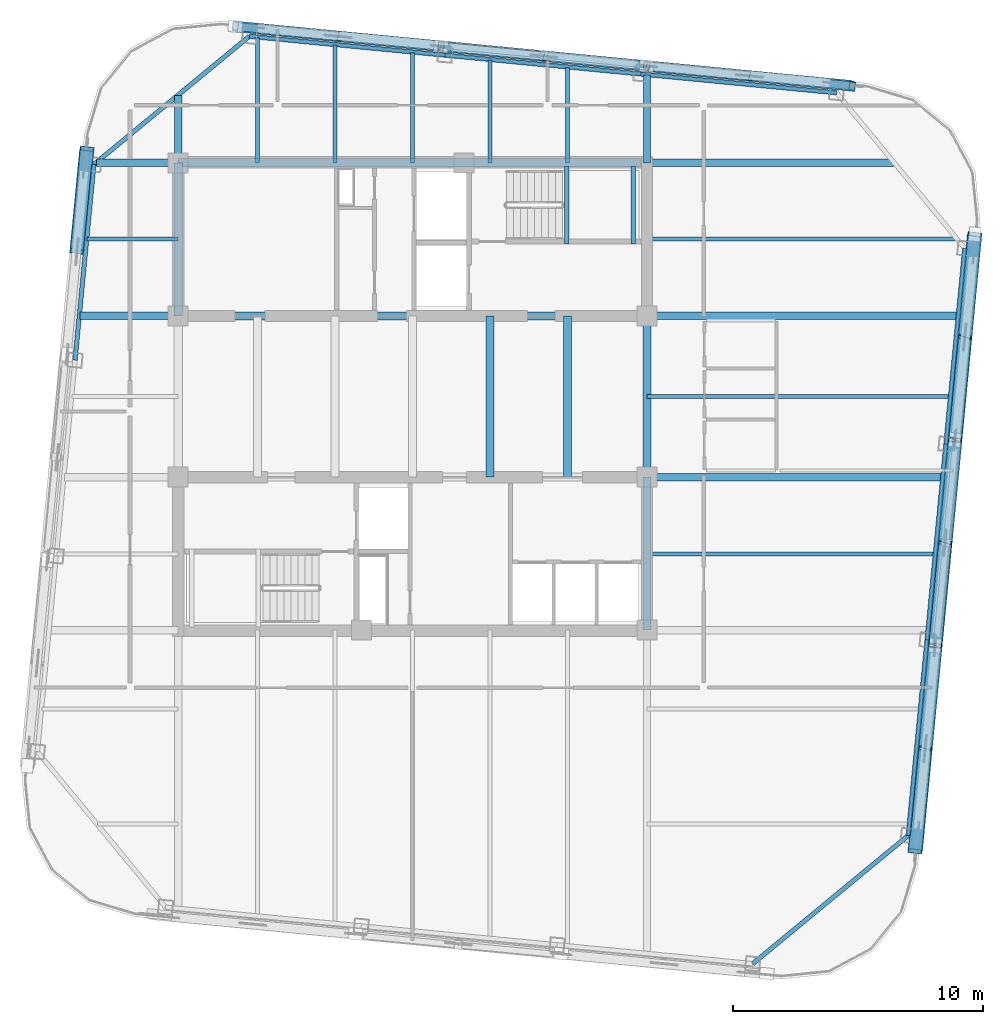
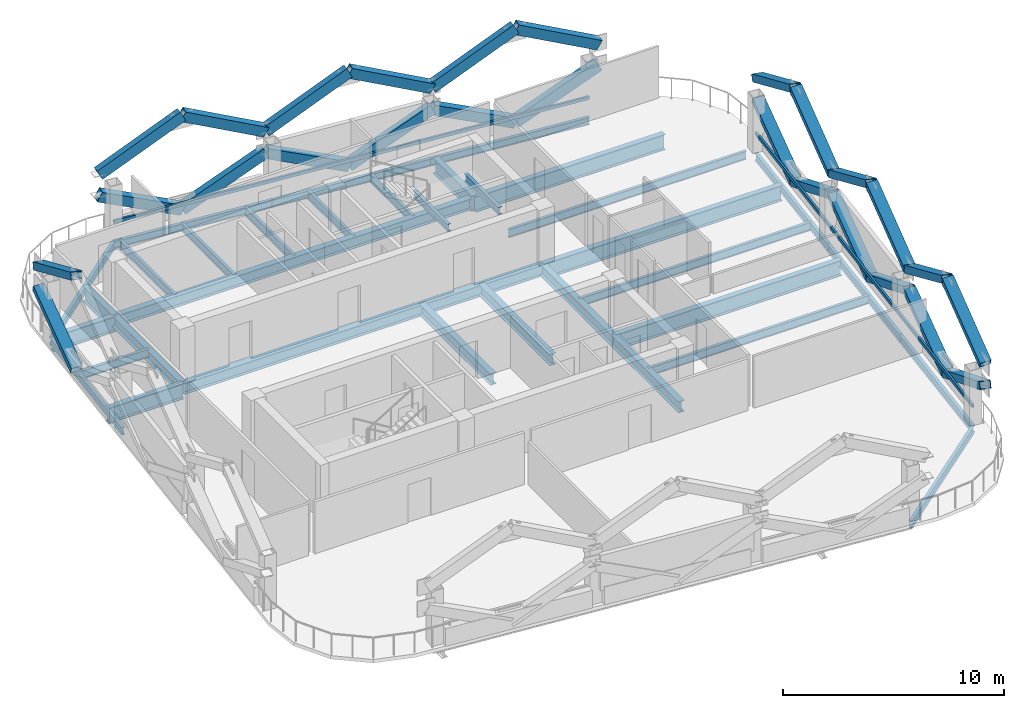
# One storey, part 2 of 10: 34 beams, 28 members.
"""IFC4 building model written with IfcOpenShell, lengths in metres."""

from ifc_helpers import new_model, si_unit, direction, frame, origin, origin_2d, place, context, subcontext, project, spatial, hollow_rectangle, i_section, extrude, material, material_profile, profile_set, type_object, element, save


model = new_model("IFC4")

# Units and contexts
model_context = context("Model", 3, precision=1e-05, world=origin(), true_north=direction((0.0, 1.0)))
body_context = subcontext(model_context, "Body", "Model", "MODEL_VIEW")
ifc_project = project(units=[si_unit("LENGTHUNIT", "METRE"), si_unit("AREAUNIT", "SQUARE_METRE"), si_unit("VOLUMEUNIT", "CUBIC_METRE"), si_unit("PLANEANGLEUNIT", "RADIAN"), si_unit("MASSUNIT", "GRAM", prefix="KILO")], contexts=[model_context])

# Site, building, storey
site_placement = place(None, origin())
site = spatial("IfcSite", under=ifc_project, at=site_placement, CompositionType="ELEMENT")
building_placement = place(site_placement, origin())
building = spatial("IfcBuilding", under=site, at=building_placement, Name="Qhalaya Broadcast Tower", CompositionType="ELEMENT")
storey_placement = place(building_placement, frame((0.0, 0.0, 267.25)))
storey = spatial("IfcBuildingStorey", under=building, at=storey_placement, Name="L79", CompositionType="ELEMENT", Elevation=267.25)

# Beams
ifc_material_1 = material(Name="Structural Steel ASTM A992 Grade 50", Category="steel")
ifc_material_profile_1 = material_profile(ifc_material_1, i_section(OverallWidth=0.154052734375, OverallDepth=0.458984375, WebThickness=0.009033203125, FlangeThickness=0.015380859375, at=origin_2d()), Name="W18X46")
ifc_profile_set_1 = profile_set([ifc_material_profile_1], Name="Structural Steel ASTM A992 Grade 50")
beam_type_1 = type_object("IfcBeamType", Name="Composite Floor Joist J04", PredefinedType="JOIST", material=ifc_profile_set_1)
beam_1_placement = place(storey_placement, frame((-6.199951171875, 9.949951171875, -0.41943359375), z_axis=(0.0, 1.0, 0.0), x_axis=(-1.0, 0.0, 0.0)))
element("IfcBeam", 1, at=beam_1_placement, inside=storey, type_object=beam_type_1, Name="L79 J04 L79-JNN1-1", PredefinedType="JOIST", context=body_context, shape_type="SweptSolid", body=[
    extrude(i_section(OverallWidth=0.154052734375, OverallDepth=0.458984375, WebThickness=0.009033203125, FlangeThickness=0.015380859375, at=origin_2d()), origin(), (0.0, 0.0, 1.0), 5.0087890625),
])
beam_2_placement = place(storey_placement, frame((-3.10009765625, 9.949951171875, -0.41943359375), z_axis=(0.0, 1.0, 0.0), x_axis=(-1.0, 0.0, 0.0)))
element("IfcBeam", 2, at=beam_2_placement, inside=storey, type_object=beam_type_1, Name="L79 J04 L79-JNN2-1", PredefinedType="JOIST", context=body_context, shape_type="SweptSolid", body=[
    extrude(i_section(OverallWidth=0.154052734375, OverallDepth=0.458984375, WebThickness=0.009033203125, FlangeThickness=0.015380859375, at=origin_2d()), origin(), (0.0, 0.0, 1.0), 4.710205078125),
])
beam_3_placement = place(storey_placement, frame((0.0, 9.949951171875, -0.41943359375), z_axis=(0.0, 1.0, 0.0), x_axis=(-1.0, 0.0, 0.0)))
element("IfcBeam", 3, at=beam_3_placement, inside=storey, type_object=beam_type_1, Name="L79 J04 L79-JNN3-1", PredefinedType="JOIST", context=body_context, shape_type="SweptSolid", body=[
    extrude(i_section(OverallWidth=0.154052734375, OverallDepth=0.458984375, WebThickness=0.009033203125, FlangeThickness=0.015380859375, at=origin_2d()), origin(), (0.0, 0.0, 1.0), 4.411865234375),
])
beam_4_placement = place(storey_placement, frame((3.10009765625, 9.949951171875, -0.41943359375), z_axis=(0.0, 1.0, 0.0), x_axis=(-1.0, 0.0, 0.0)))
element("IfcBeam", 4, at=beam_4_placement, inside=storey, type_object=beam_type_1, Name="L79 J04 L79-JNN4-1", PredefinedType="JOIST", context=body_context, shape_type="SweptSolid", body=[
    extrude(i_section(OverallWidth=0.154052734375, OverallDepth=0.458984375, WebThickness=0.009033203125, FlangeThickness=0.015380859375, at=origin_2d()), origin(), (0.0, 0.0, 1.0), 4.11328125),
])
beam_5_placement = place(storey_placement, frame((6.199951171875, 9.949951171875, -0.41943359375), z_axis=(0.0, 1.0, 0.0), x_axis=(-1.0, 0.0, 0.0)))
element("IfcBeam", 5, at=beam_5_placement, inside=storey, type_object=beam_type_1, Name="L79 J04 L79-JNN5-1", PredefinedType="JOIST", context=body_context, shape_type="SweptSolid", body=[
    extrude(i_section(OverallWidth=0.154052734375, OverallDepth=0.458984375, WebThickness=0.009033203125, FlangeThickness=0.015380859375, at=origin_2d()), origin(), (0.0, 0.0, 1.0), 3.814697265625),
])
beam_6_placement = place(storey_placement, frame((9.375, -5.699951171875, -0.41943359375), z_axis=(1.0, 0.0, 0.0), x_axis=(0.0, 1.0, 0.0)))
element("IfcBeam", 6, at=beam_6_placement, inside=storey, type_object=beam_type_1, Name="L79 J04 L79-JWE3E-1", PredefinedType="JOIST", context=body_context, shape_type="SweptSolid", body=[
    extrude(i_section(OverallWidth=0.154052734375, OverallDepth=0.458984375, WebThickness=0.009033203125, FlangeThickness=0.015380859375, at=origin_2d()), origin(), (0.0, 0.0, 1.0), 11.517822265625),
])
beam_7_placement = place(storey_placement, frame((9.375, 0.60009765625, -0.41943359375), z_axis=(1.0, 0.0, 0.0), x_axis=(0.0, 1.0, 0.0)))
element("IfcBeam", 7, at=beam_7_placement, inside=storey, type_object=beam_type_1, Name="L79 J04 L79-JWE4E-1", PredefinedType="JOIST", context=body_context, shape_type="SweptSolid", body=[
    extrude(i_section(OverallWidth=0.154052734375, OverallDepth=0.458984375, WebThickness=0.009033203125, FlangeThickness=0.015380859375, at=origin_2d()), origin(), (0.0, 0.0, 1.0), 12.12451171875),
])
beam_8_placement = place(storey_placement, frame((-13.015625, 6.89990234375, -0.41943359375), z_axis=(1.0, 0.0, 0.0), x_axis=(0.0, 1.0, 0.0)))
element("IfcBeam", 8, at=beam_8_placement, inside=storey, type_object=beam_type_1, Name="L79 J04 L79-JWE5W-1", PredefinedType="JOIST", context=body_context, shape_type="SweptSolid", body=[
    extrude(i_section(OverallWidth=0.154052734375, OverallDepth=0.458984375, WebThickness=0.009033203125, FlangeThickness=0.015380859375, at=origin_2d()), origin(), (0.0, 0.0, 1.0), 3.640625),
])
beam_9_placement = place(storey_placement, frame((9.375, 6.89990234375, -0.41943359375), z_axis=(1.0, 0.0, 0.0), x_axis=(0.0, 1.0, 0.0)))
element("IfcBeam", 9, at=beam_9_placement, inside=storey, type_object=beam_type_1, Name="L79 J04 L79-JWE5E-1", PredefinedType="JOIST", context=body_context, shape_type="SweptSolid", body=[
    extrude(i_section(OverallWidth=0.154052734375, OverallDepth=0.458984375, WebThickness=0.009033203125, FlangeThickness=0.015380859375, at=origin_2d()), origin(), (0.0, 0.0, 1.0), 12.38330078125),
])
ifc_material_profile_2 = material_profile(ifc_material_1, i_section(OverallWidth=0.323974609375, OverallDepth=0.612060546875, WebThickness=0.0126953125, FlangeThickness=0.01904296875, at=origin_2d()), Name="W24X104")
ifc_profile_set_2 = profile_set([ifc_material_profile_2], Name="Structural Steel ASTM A992 Grade 50")
beam_type_2 = type_object("IfcBeamType", Name="Core Frame Tie Beam B04", PredefinedType="BEAM", material=ifc_profile_set_2)
beam_10_placement = place(storey_placement, frame((-9.375, 3.824951171875, -0.49609375), z_axis=(1.0, 0.0, 0.0), x_axis=(0.0, 1.0, 0.0)))
element("IfcBeam", 10, at=beam_10_placement, inside=storey, type_object=beam_type_2, Name="L79 B04 L79-CCN1", PredefinedType="BEAM", context=body_context, shape_type="SweptSolid", body=[
    extrude(i_section(OverallWidth=0.323974609375, OverallDepth=0.612060546875, WebThickness=0.0126953125, FlangeThickness=0.01904296875, at=origin_2d()), origin(), (0.0, 0.0, 1.0), 18.75),
])
beam_11_placement = place(storey_placement, frame((-9.375, 3.824951171875, -0.49609375), z_axis=(0.0, 1.0, 0.0), x_axis=(-1.0, 0.0, 0.0)))
element("IfcBeam", 11, at=beam_11_placement, inside=storey, type_object=beam_type_2, Name="L79 B04 L79-CCN2", PredefinedType="BEAM", context=body_context, shape_type="SweptSolid", body=[
    extrude(i_section(OverallWidth=0.323974609375, OverallDepth=0.612060546875, WebThickness=0.0126953125, FlangeThickness=0.01904296875, at=origin_2d()), origin(), (0.0, 0.0, 1.0), 6.125),
])
beam_12_placement = place(storey_placement, frame((-9.375, 9.949951171875, -0.49609375), z_axis=(1.0, 0.0, 0.0), x_axis=(0.0, 1.0, 0.0)))
element("IfcBeam", 12, at=beam_12_placement, inside=storey, type_object=beam_type_2, Name="L79 B04 L79-CCN3", PredefinedType="BEAM", context=body_context, shape_type="SweptSolid", body=[
    extrude(i_section(OverallWidth=0.323974609375, OverallDepth=0.612060546875, WebThickness=0.0126953125, FlangeThickness=0.01904296875, at=origin_2d()), origin(), (0.0, 0.0, 1.0), 18.4951171875),
])
beam_13_placement = place(storey_placement, frame((9.375, -8.75, -0.49609375), z_axis=(0.0, 1.0, 0.0), x_axis=(-1.0, 0.0, 0.0)))
element("IfcBeam", 13, at=beam_13_placement, inside=storey, type_object=beam_type_2, Name="L79 B04 L79-CCS2", PredefinedType="BEAM", context=body_context, shape_type="SweptSolid", body=[
    extrude(i_section(OverallWidth=0.323974609375, OverallDepth=0.612060546875, WebThickness=0.0126953125, FlangeThickness=0.01904296875, at=origin_2d()), origin(), (0.0, 0.0, 1.0), 6.125),
])
for number, where, z_axis, x_axis, name in (
    (14, (9.375, -2.625, -0.49609375), (0.0, 1.0, 0.0), (-1.0, 0.0, 0.0), "L79 B04 L79-CCE"),
    (15, (3.10009765625, -2.625, -0.49609375), (0.0, 1.0, 0.0), (-1.0, 0.0, 0.0), "L79 B04 L79-JC4-1"),
    (16, (6.199951171875, -2.625, -0.49609375), (0.0, 1.0, 0.0), (-1.0, 0.0, 0.0), "L79 B04 L79-JC5-1"),
):
    element("IfcBeam", number, at=place(storey_placement, frame(where, z_axis=z_axis, x_axis=x_axis)), inside=storey, type_object=beam_type_2, Name=name, PredefinedType="BEAM", context=body_context, shape_type="SweptSolid", body=[
        extrude(i_section(OverallWidth=0.323974609375, OverallDepth=0.612060546875, WebThickness=0.0126953125, FlangeThickness=0.01904296875, at=origin_2d()), origin(), (0.0, 0.0, 1.0), 6.449951171875),
    ])

# Members
ifc_material_2 = material(Name="Structural Steel ASTM A572 Grade 50", Category="steel")
ifc_material_profile_3 = material_profile(ifc_material_2, hollow_rectangle(XDim=0.3798828125, YDim=0.550048828125, WallThickness=0.02490234375, at=origin_2d()), Name="BOX 380x550x25")
ifc_profile_set_3 = profile_set([ifc_material_profile_3], Name="Structural Steel ASTM A572 Grade 50")
member_type_1 = type_object("IfcMemberType", Name="Exoskeleton Diamond Diagonal Upper EX4", PredefinedType="BRACE", material=ifc_profile_set_3)
for number, where, z_axis, x_axis, name in (
    (17, (20.505615234375, -13.478515625, 0.360107421875), (-0.086782392464, -0.901082487863, 0.424875471668), (0.135947686721, 0.411783290594, 0.901084206977), "B6 Exoskeleton Diamond Brace E1-D1"),
    (18, (20.505615234375, -13.478515625, 0.360107421875), (0.086729324431, 0.901086667884, 0.424877442618), (-0.135923663598, -0.411793235794, 0.901083286177), "B6 Exoskeleton Diamond Brace E1-D2"),
):
    element("IfcMember", number, at=place(storey_placement, frame(where, z_axis=z_axis, x_axis=x_axis)), inside=storey, type_object=member_type_1, Name=name, PredefinedType="BRACE", context=body_context, shape_type="SweptSolid", body=[
        extrude(hollow_rectangle(XDim=0.3798828125, YDim=0.550048828125, WallThickness=0.02490234375, at=origin_2d()), origin(), (0.0, 0.0, 1.0), 4.56591796875),
    ])
for number, where, z_axis, x_axis, name in (
    (19, (20.109375, -17.5927734375, 3.469970703125), (0.085799323057, 0.890875041378, 0.44607189646), (-0.137970337057, -0.432784956306, 0.890876741018), "B6 Exoskeleton Diamond Brace E1-D3"),
    (20, (20.901611328125, -9.3642578125, 3.469970703125), (-0.085746847217, -0.890879080948, 0.446073919122), (0.137945084066, 0.432795071629, 0.89087573755), "B6 Exoskeleton Diamond Brace E1-D4"),
):
    element("IfcMember", number, at=place(storey_placement, frame(where, z_axis=z_axis, x_axis=x_axis)), inside=storey, type_object=member_type_1, Name=name, PredefinedType="BRACE", context=body_context, shape_type="SweptSolid", body=[
        extrude(hollow_rectangle(XDim=0.3798828125, YDim=0.550048828125, WallThickness=0.02490234375, at=origin_2d()), origin(), (0.0, 0.0, 1.0), 4.6181640625),
    ])
member_1_placement = place(storey_placement, frame((21.2978515625, -5.25, 0.360107421875), z_axis=(-0.086782392464, -0.901082487863, 0.424875471668), x_axis=(0.135947686721, 0.411783290594, 0.901084206977)))
element("IfcMember", 21, at=member_1_placement, inside=storey, type_object=member_type_1, Name="B6 Exoskeleton Diamond Brace E2-D1", PredefinedType="BRACE", context=body_context, shape_type="SweptSolid", body=[
    extrude(hollow_rectangle(XDim=0.3798828125, YDim=0.550048828125, WallThickness=0.02490234375, at=origin_2d()), origin(), (0.0, 0.0, 1.0), 4.56591796875),
])
member_2_placement = place(storey_placement, frame((21.2978515625, -5.25, 0.360107421875), z_axis=(0.086778211362, 0.901092542256, 0.424855001529), x_axis=(-0.135943401915, -0.411763778277, 0.901093770023)))
element("IfcMember", 22, at=member_2_placement, inside=storey, type_object=member_type_1, Name="B6 Exoskeleton Diamond Brace E2-D2", PredefinedType="BRACE", context=body_context, shape_type="SweptSolid", body=[
    extrude(hollow_rectangle(XDim=0.3798828125, YDim=0.550048828125, WallThickness=0.02490234375, at=origin_2d()), origin(), (0.0, 0.0, 1.0), 4.566162109375),
])
member_3_placement = place(storey_placement, frame((20.901611328125, -9.3642578125, 3.469970703125), z_axis=(0.085799323057, 0.890875041378, 0.44607189646), x_axis=(-0.137970337057, -0.432784956306, 0.890876741018)))
element("IfcMember", 23, at=member_3_placement, inside=storey, type_object=member_type_1, Name="B6 Exoskeleton Diamond Brace E2-D3", PredefinedType="BRACE", context=body_context, shape_type="SweptSolid", body=[
    extrude(hollow_rectangle(XDim=0.3798828125, YDim=0.550048828125, WallThickness=0.02490234375, at=origin_2d()), origin(), (0.0, 0.0, 1.0), 4.6181640625),
])
member_4_placement = place(storey_placement, frame((21.694091796875, -1.135498046875, 3.469970703125), z_axis=(-0.085795282435, -0.890885948787, 0.446050889211), x_axis=(0.137965882086, 0.432764923266, 0.890887162648)))
element("IfcMember", 24, at=member_4_placement, inside=storey, type_object=member_type_1, Name="B6 Exoskeleton Diamond Brace E2-D4", PredefinedType="BRACE", context=body_context, shape_type="SweptSolid", body=[
    extrude(hollow_rectangle(XDim=0.3798828125, YDim=0.550048828125, WallThickness=0.02490234375, at=origin_2d()), origin(), (0.0, 0.0, 1.0), 4.618408203125),
])
for number, where, z_axis, x_axis, name in (
    (25, (22.090087890625, 2.978759765625, 0.360107421875), (-0.086729324431, -0.901086667884, 0.424877442618), (0.135923663598, 0.411793235794, 0.901083286177), "B6 Exoskeleton Diamond Brace E3-D1"),
    (26, (22.090087890625, 2.978759765625, 0.360107421875), (0.086782392464, 0.901082487863, 0.424875471668), (-0.135947686721, -0.411783290594, 0.901084206977), "B6 Exoskeleton Diamond Brace E3-D2"),
):
    element("IfcMember", number, at=place(storey_placement, frame(where, z_axis=z_axis, x_axis=x_axis)), inside=storey, type_object=member_type_1, Name=name, PredefinedType="BRACE", context=body_context, shape_type="SweptSolid", body=[
        extrude(hollow_rectangle(XDim=0.3798828125, YDim=0.550048828125, WallThickness=0.02490234375, at=origin_2d()), origin(), (0.0, 0.0, 1.0), 4.56591796875),
    ])
for number, where, z_axis, x_axis, name in (
    (27, (21.694091796875, -1.135498046875, 3.469970703125), (0.085746847217, 0.890879080948, 0.446073919122), (-0.137945084066, -0.432795071629, 0.89087573755), "B6 Exoskeleton Diamond Brace E3-D3"),
    (28, (22.486328125, 7.093017578125, 3.469970703125), (-0.085799323057, -0.890875041378, 0.44607189646), (0.137970337057, 0.432784956306, 0.890876741018), "B6 Exoskeleton Diamond Brace E3-D4"),
):
    element("IfcMember", number, at=place(storey_placement, frame(where, z_axis=z_axis, x_axis=x_axis)), inside=storey, type_object=member_type_1, Name=name, PredefinedType="BRACE", context=body_context, shape_type="SweptSolid", body=[
        extrude(hollow_rectangle(XDim=0.3798828125, YDim=0.550048828125, WallThickness=0.02490234375, at=origin_2d()), origin(), (0.0, 0.0, 1.0), 4.6181640625),
    ])
for number, where, z_axis, x_axis, name in (
    (29, (13.478515625, 13.425537109375, 0.360107421875), (0.901082487863, -0.086782392464, 0.424875471668), (0.135959080811, 0.986907818813, -0.086764540636), "B6 Exoskeleton Diamond Brace N1-D1"),
    (30, (13.478515625, 13.425537109375, 0.360107421875), (-0.901082487863, 0.086782392464, 0.424875471668), (-0.135959080811, -0.986907818813, -0.086764540636), "B6 Exoskeleton Diamond Brace N1-D2"),
):
    element("IfcMember", number, at=place(storey_placement, frame(where, z_axis=z_axis, x_axis=x_axis)), inside=storey, type_object=member_type_1, Name=name, PredefinedType="BRACE", context=body_context, shape_type="SweptSolid", body=[
        extrude(hollow_rectangle(XDim=0.3798828125, YDim=0.550048828125, WallThickness=0.02490234375, at=origin_2d()), origin(), (0.0, 0.0, 1.0), 4.56591796875),
    ])
for number, where, z_axis, x_axis, name in (
    (31, (17.5927734375, 13.029296875, 3.469970703125), (-0.890875041378, 0.085799323057, 0.44607189646), (-0.137981311213, -0.986713059737, -0.085781673454), "B6 Exoskeleton Diamond Brace N1-D3"),
    (32, (9.3642578125, 13.82177734375, 3.469970703125), (0.890875041378, -0.085799323057, 0.44607189646), (0.137981311213, 0.986713059737, -0.085781673454), "B6 Exoskeleton Diamond Brace N1-D4"),
):
    element("IfcMember", number, at=place(storey_placement, frame(where, z_axis=z_axis, x_axis=x_axis)), inside=storey, type_object=member_type_1, Name=name, PredefinedType="BRACE", context=body_context, shape_type="SweptSolid", body=[
        extrude(hollow_rectangle(XDim=0.3798828125, YDim=0.550048828125, WallThickness=0.02490234375, at=origin_2d()), origin(), (0.0, 0.0, 1.0), 4.6181640625),
    ])
member_5_placement = place(storey_placement, frame((5.25, 14.218017578125, 0.360107421875), z_axis=(0.901082487863, -0.086782392464, 0.424875471668), x_axis=(0.135959080811, 0.986907818813, -0.086764540636)))
element("IfcMember", 33, at=member_5_placement, inside=storey, type_object=member_type_1, Name="B6 Exoskeleton Diamond Brace N2-D1", PredefinedType="BRACE", context=body_context, shape_type="SweptSolid", body=[
    extrude(hollow_rectangle(XDim=0.3798828125, YDim=0.550048828125, WallThickness=0.02490234375, at=origin_2d()), origin(), (0.0, 0.0, 1.0), 4.56591796875),
])
member_6_placement = place(storey_placement, frame((5.25, 14.218017578125, 0.360107421875), z_axis=(-0.901096721921, 0.086725145847, 0.424856972194), x_axis=(-0.135893705593, -0.986916749712, -0.086765372807)))
element("IfcMember", 34, at=member_6_placement, inside=storey, type_object=member_type_1, Name="B6 Exoskeleton Diamond Brace N2-D2", PredefinedType="BRACE", context=body_context, shape_type="SweptSolid", body=[
    extrude(hollow_rectangle(XDim=0.3798828125, YDim=0.550048828125, WallThickness=0.02490234375, at=origin_2d()), origin(), (0.0, 0.0, 1.0), 4.566162109375),
])
member_7_placement = place(storey_placement, frame((9.3642578125, 13.82177734375, 3.469970703125), z_axis=(-0.890875041378, 0.085799323057, 0.44607189646), x_axis=(-0.137981311213, -0.986713059737, -0.085781673454)))
element("IfcMember", 35, at=member_7_placement, inside=storey, type_object=member_type_1, Name="B6 Exoskeleton Diamond Brace N2-D3", PredefinedType="BRACE", context=body_context, shape_type="SweptSolid", body=[
    extrude(hollow_rectangle(XDim=0.3798828125, YDim=0.550048828125, WallThickness=0.02490234375, at=origin_2d()), origin(), (0.0, 0.0, 1.0), 4.6181640625),
])
member_8_placement = place(storey_placement, frame((1.135498046875, 14.614013671875, 3.469970703125), z_axis=(0.890889988026, -0.08574280903, 0.446052911586), x_axis=(0.137915902234, 0.986722125434, -0.085782580339)))
element("IfcMember", 36, at=member_8_placement, inside=storey, type_object=member_type_1, Name="B6 Exoskeleton Diamond Brace N2-D4", PredefinedType="BRACE", context=body_context, shape_type="SweptSolid", body=[
    extrude(hollow_rectangle(XDim=0.3798828125, YDim=0.550048828125, WallThickness=0.02490234375, at=origin_2d()), origin(), (0.0, 0.0, 1.0), 4.618408203125),
])
for number, where, z_axis, x_axis, name in (
    (37, (-2.978759765625, 15.01025390625, 0.360107421875), (0.901082487863, -0.086782392464, 0.424875471668), (0.135959080811, 0.986907818813, -0.086764540636), "B6 Exoskeleton Diamond Brace N3-D1"),
    (38, (-2.978759765625, 15.01025390625, 0.360107421875), (-0.901082487863, 0.086782392464, 0.424875471668), (-0.135959080811, -0.986907818813, -0.086764540636), "B6 Exoskeleton Diamond Brace N3-D2"),
):
    element("IfcMember", number, at=place(storey_placement, frame(where, z_axis=z_axis, x_axis=x_axis)), inside=storey, type_object=member_type_1, Name=name, PredefinedType="BRACE", context=body_context, shape_type="SweptSolid", body=[
        extrude(hollow_rectangle(XDim=0.3798828125, YDim=0.550048828125, WallThickness=0.02490234375, at=origin_2d()), origin(), (0.0, 0.0, 1.0), 4.56591796875),
    ])
for number, where, z_axis, x_axis, name in (
    (39, (1.135498046875, 14.614013671875, 3.469970703125), (-0.890875041378, 0.085799323057, 0.44607189646), (-0.137981311213, -0.986713059737, -0.085781673454), "B6 Exoskeleton Diamond Brace N3-D3"),
    (40, (-7.093017578125, 15.406494140625, 3.469970703125), (0.890875041378, -0.085799323057, 0.44607189646), (0.137981311213, 0.986713059737, -0.085781673454), "B6 Exoskeleton Diamond Brace N3-D4"),
):
    element("IfcMember", number, at=place(storey_placement, frame(where, z_axis=z_axis, x_axis=x_axis)), inside=storey, type_object=member_type_1, Name=name, PredefinedType="BRACE", context=body_context, shape_type="SweptSolid", body=[
        extrude(hollow_rectangle(XDim=0.3798828125, YDim=0.550048828125, WallThickness=0.02490234375, at=origin_2d()), origin(), (0.0, 0.0, 1.0), 4.6181640625),
    ])
member_9_placement = place(storey_placement, frame((-13.425537109375, 6.3984375, 0.360107421875), z_axis=(0.086782392464, 0.901082487863, 0.424875471668), x_axis=(-0.135947686721, -0.411783290594, 0.901084206977)))
element("IfcMember", 41, at=member_9_placement, inside=storey, type_object=member_type_1, Name="B6 Exoskeleton Diamond Brace W1-D1", PredefinedType="BRACE", context=body_context, shape_type="SweptSolid", body=[
    extrude(hollow_rectangle(XDim=0.3798828125, YDim=0.550048828125, WallThickness=0.02490234375, at=origin_2d()), origin(), (0.0, 0.0, 1.0), 4.56591796875),
])
member_10_placement = place(storey_placement, frame((-13.029296875, 10.5126953125, 3.469970703125), z_axis=(-0.085799323057, -0.890875041378, 0.44607189646), x_axis=(0.137970337057, 0.432784956306, 0.890876741018)))
element("IfcMember", 42, at=member_10_placement, inside=storey, type_object=member_type_1, Name="B6 Exoskeleton Diamond Brace W1-D3", PredefinedType="BRACE", context=body_context, shape_type="SweptSolid", body=[
    extrude(hollow_rectangle(XDim=0.3798828125, YDim=0.550048828125, WallThickness=0.02490234375, at=origin_2d()), origin(), (0.0, 0.0, 1.0), 4.6181640625),
])
ifc_material_3 = material(Name="Fired Architectural Terracotta", Category="masonry")
ifc_material_profile_4 = material_profile(ifc_material_3, hollow_rectangle(XDim=0.110107421875, YDim=0.179931640625, WallThickness=0.01806640625, at=origin_2d()), Name="TB-BAG 110x180x18")
ifc_profile_set_4 = profile_set([ifc_material_profile_4], Name="Fired Architectural Terracotta")
member_type_2 = type_object("IfcMemberType", Name="Fired Terracotta Facade Baguette Member TB1", PredefinedType="USERDEFINED", material=ifc_profile_set_4)
for number, where, z_axis, x_axis, name in (
    (43, (19.82861328125, -16.962890625, 0.85791015625), (0.095836197305, 0.995397118383, 0.0), (-0.995397118383, 0.095836197305, 0.0), "L79 Terracotta Baguette Feature Rail E"),
    (44, (16.962890625, 12.74853515625, 0.85791015625), (-0.995396131468, 0.095846447288, 0.0), (-0.095846447288, -0.995396131468, 0.0), "L79 Terracotta Baguette Feature Rail N"),
):
    element("IfcMember", number, at=place(storey_placement, frame(where, z_axis=z_axis, x_axis=x_axis)), inside=storey, type_object=member_type_2, Name=name, ObjectType="BAGUETTE", PredefinedType="USERDEFINED", context=body_context, shape_type="SweptSolid", body=[
        extrude(hollow_rectangle(XDim=0.110107421875, YDim=0.179931640625, WallThickness=0.01806640625, at=origin_2d()), origin(), (0.0, 0.0, 1.0), 23.599853515625),
    ])

# Beams
ifc_material_profile_5 = material_profile(ifc_material_1, i_section(OverallWidth=0.2919921875, OverallDepth=0.85888671875, WebThickness=0.01708984375, FlangeThickness=0.031005859375, at=origin_2d()), Name="W33X169")
ifc_profile_set_5 = profile_set([ifc_material_profile_5], Name="Structural Steel ASTM A992 Grade 50")
beam_type_3 = type_object("IfcBeamType", Name="Upper Block Primary Girder PG4", PredefinedType="USERDEFINED", material=ifc_profile_set_5)
beam_14_placement = place(storey_placement, frame((-9.375, 9.949951171875, -0.619384765625), z_axis=(0.0, 1.0, 0.0), x_axis=(-1.0, 0.0, 0.0)))
element("IfcBeam", 45, at=beam_14_placement, inside=storey, type_object=beam_type_3, Name="L79 PG4 L79-PGXN1-1", ObjectType="GIRDER", PredefinedType="USERDEFINED", context=body_context, shape_type="SweptSolid", body=[
    extrude(i_section(OverallWidth=0.2919921875, OverallDepth=0.85888671875, WebThickness=0.01708984375, FlangeThickness=0.031005859375, at=origin_2d()), origin(), (0.0, 0.0, 1.0), 2.68798828125),
])
beam_15_placement = place(storey_placement, frame((9.375, 9.949951171875, -0.619384765625), z_axis=(0.0, 1.0, 0.0), x_axis=(-1.0, 0.0, 0.0)))
element("IfcBeam", 46, at=beam_15_placement, inside=storey, type_object=beam_type_3, Name="L79 PG4 L79-PGXN2-1", ObjectType="GIRDER", PredefinedType="USERDEFINED", context=body_context, shape_type="SweptSolid", body=[
    extrude(i_section(OverallWidth=0.2919921875, OverallDepth=0.85888671875, WebThickness=0.01708984375, FlangeThickness=0.031005859375, at=origin_2d()), origin(), (0.0, 0.0, 1.0), 3.509033203125),
])
beam_16_placement = place(storey_placement, frame((9.375, -2.625, -0.619384765625), z_axis=(1.0, 0.0, 0.0), x_axis=(0.0, 1.0, 0.0)))
element("IfcBeam", 47, at=beam_16_placement, inside=storey, type_object=beam_type_3, Name="L79 PG4 L79-PGYE2-1", ObjectType="GIRDER", PredefinedType="USERDEFINED", context=body_context, shape_type="SweptSolid", body=[
    extrude(i_section(OverallWidth=0.2919921875, OverallDepth=0.85888671875, WebThickness=0.01708984375, FlangeThickness=0.031005859375, at=origin_2d()), origin(), (0.0, 0.0, 1.0), 11.81396484375),
])
beam_17_placement = place(storey_placement, frame((-13.311767578125, 3.824951171875, -0.619384765625), z_axis=(1.0, 0.0, 0.0), x_axis=(0.0, 1.0, 0.0)))
element("IfcBeam", 48, at=beam_17_placement, inside=storey, type_object=beam_type_3, Name="L79 PG4 L79-PGYW3-1", ObjectType="GIRDER", PredefinedType="USERDEFINED", context=body_context, shape_type="SweptSolid", body=[
    extrude(i_section(OverallWidth=0.2919921875, OverallDepth=0.85888671875, WebThickness=0.01708984375, FlangeThickness=0.031005859375, at=origin_2d()), origin(), (0.0, 0.0, 1.0), 3.936767578125),
])
beam_18_placement = place(storey_placement, frame((9.375, 3.824951171875, -0.619384765625), z_axis=(1.0, 0.0, 0.0), x_axis=(0.0, 1.0, 0.0)))
element("IfcBeam", 49, at=beam_18_placement, inside=storey, type_object=beam_type_3, Name="L79 PG4 L79-PGYE3-1", ObjectType="GIRDER", PredefinedType="USERDEFINED", context=body_context, shape_type="SweptSolid", body=[
    extrude(i_section(OverallWidth=0.2919921875, OverallDepth=0.85888671875, WebThickness=0.01708984375, FlangeThickness=0.031005859375, at=origin_2d()), origin(), (0.0, 0.0, 1.0), 12.43505859375),
])
beam_19_placement = place(storey_placement, frame((-12.6357421875, 9.949951171875, -0.619384765625), z_axis=(1.0, 0.0, 0.0), x_axis=(0.0, 1.0, 0.0)))
element("IfcBeam", 50, at=beam_19_placement, inside=storey, type_object=beam_type_3, Name="L79 PG4 L79-PGYW4-1", ObjectType="GIRDER", PredefinedType="USERDEFINED", context=body_context, shape_type="SweptSolid", body=[
    extrude(i_section(OverallWidth=0.2919921875, OverallDepth=0.85888671875, WebThickness=0.01708984375, FlangeThickness=0.031005859375, at=origin_2d()), origin(), (0.0, 0.0, 1.0), 3.2607421875),
])
beam_20_placement = place(storey_placement, frame((9.375, 9.949951171875, -0.619384765625), z_axis=(1.0, 0.0, 0.0), x_axis=(0.0, 1.0, 0.0)))
element("IfcBeam", 51, at=beam_20_placement, inside=storey, type_object=beam_type_3, Name="L79 PG4 L79-PGYE4-1", ObjectType="GIRDER", PredefinedType="USERDEFINED", context=body_context, shape_type="SweptSolid", body=[
    extrude(i_section(OverallWidth=0.2919921875, OverallDepth=0.85888671875, WebThickness=0.01708984375, FlangeThickness=0.031005859375, at=origin_2d()), origin(), (0.0, 0.0, 1.0), 9.868896484375),
])
ifc_material_profile_6 = material_profile(ifc_material_1, i_section(OverallWidth=0.177978515625, OverallDepth=0.406005859375, WebThickness=0.0078125, FlangeThickness=0.0126953125, at=origin_2d()), Name="W16X40")
ifc_profile_set_6 = profile_set([ifc_material_profile_6], Name="Structural Steel ASTM A992 Grade 50")
beam_type_4 = type_object("IfcBeamType", Name="Upper Perimeter Spandrel Beam SP2", PredefinedType="SPANDREL", material=ifc_profile_set_6)
beam_21_placement = place(storey_placement, frame((13.6083984375, -22.09033203125, -0.39306640625), z_axis=(0.771631160126, 0.636070241972, 0.0), x_axis=(-0.636070241972, 0.771631160126, 0.0)))
element("IfcBeam", 52, at=beam_21_placement, inside=storey, type_object=beam_type_4, Name="L79 SP2 L79-SPR-04", PredefinedType="SPANDREL", context=body_context, shape_type="SweptSolid", body=[
    extrude(i_section(OverallWidth=0.177978515625, OverallDepth=0.406005859375, WebThickness=0.0078125, FlangeThickness=0.0126953125, at=origin_2d()), origin(), (0.0, 0.0, 1.0), 8.06103515625),
])
beam_22_placement = place(storey_placement, frame((19.82861328125, -16.962890625, -0.39306640625), z_axis=(0.095837184179, 0.995397023367, 0.0), x_axis=(-0.995397023367, 0.095837184179, 0.0)))
element("IfcBeam", 53, at=beam_22_placement, inside=storey, type_object=beam_type_4, Name="L79 SP2 L79-SPR-05", PredefinedType="SPANDREL", context=body_context, shape_type="SweptSolid", body=[
    extrude(i_section(OverallWidth=0.177978515625, OverallDepth=0.406005859375, WebThickness=0.0078125, FlangeThickness=0.0126953125, at=origin_2d()), origin(), (0.0, 0.0, 1.0), 7.866455078125),
])
beam_23_placement = place(storey_placement, frame((20.58251953125, -9.132568359375, -0.39306640625), z_axis=(0.095834223619, 0.995397308407, 0.0), x_axis=(-0.995397308407, 0.095834223619, 0.0)))
element("IfcBeam", 54, at=beam_23_placement, inside=storey, type_object=beam_type_4, Name="L79 SP2 L79-SPR-06", PredefinedType="SPANDREL", context=body_context, shape_type="SweptSolid", body=[
    extrude(i_section(OverallWidth=0.177978515625, OverallDepth=0.406005859375, WebThickness=0.0078125, FlangeThickness=0.0126953125, at=origin_2d()), origin(), (0.0, 0.0, 1.0), 7.86669921875),
])
for number, where, z_axis, x_axis, name in (
    (55, (21.33642578125, -1.302001953125, -0.39306640625), (0.095837184179, 0.995397023367, 0.0), (-0.995397023367, 0.095837184179, 0.0), "L79 SP2 L79-SPR-07"),
    (56, (16.962890625, 12.74853515625, -0.39306640625), (-0.995397023367, 0.095837184179, 0.0), (-0.095837184179, -0.995397023367, 0.0), "L79 SP2 L79-SPR-09"),
):
    element("IfcBeam", number, at=place(storey_placement, frame(where, z_axis=z_axis, x_axis=x_axis)), inside=storey, type_object=beam_type_4, Name=name, PredefinedType="SPANDREL", context=body_context, shape_type="SweptSolid", body=[
        extrude(i_section(OverallWidth=0.177978515625, OverallDepth=0.406005859375, WebThickness=0.0078125, FlangeThickness=0.0126953125, at=origin_2d()), origin(), (0.0, 0.0, 1.0), 7.866455078125),
    ])
beam_24_placement = place(storey_placement, frame((9.132568359375, 13.50244140625, -0.39306640625), z_axis=(-0.995397308407, 0.095834223619, 0.0), x_axis=(-0.095834223619, -0.995397308407, 0.0)))
element("IfcBeam", 57, at=beam_24_placement, inside=storey, type_object=beam_type_4, Name="L79 SP2 L79-SPR-10", PredefinedType="SPANDREL", context=body_context, shape_type="SweptSolid", body=[
    extrude(i_section(OverallWidth=0.177978515625, OverallDepth=0.406005859375, WebThickness=0.0078125, FlangeThickness=0.0126953125, at=origin_2d()), origin(), (0.0, 0.0, 1.0), 7.86669921875),
])
beam_25_placement = place(storey_placement, frame((1.302001953125, 14.25634765625, -0.39306640625), z_axis=(-0.995394062251, 0.095867934346, 0.0), x_axis=(-0.095867934346, -0.995394062251, 0.0)))
element("IfcBeam", 58, at=beam_25_placement, inside=storey, type_object=beam_type_4, Name="L79 SP2 L79-SPR-11", PredefinedType="SPANDREL", context=body_context, shape_type="SweptSolid", body=[
    extrude(i_section(OverallWidth=0.177978515625, OverallDepth=0.406005859375, WebThickness=0.0078125, FlangeThickness=0.0126953125, at=origin_2d()), origin(), (0.0, 0.0, 1.0), 7.866455078125),
])
beam_26_placement = place(storey_placement, frame((-6.5283203125, 15.010498046875, -0.39306640625), z_axis=(-0.771631160126, -0.636070241972, 0.0), x_axis=(0.636070241972, -0.771631160126, 0.0)))
element("IfcBeam", 59, at=beam_26_placement, inside=storey, type_object=beam_type_4, Name="L79 SP2 L79-SPR-12", PredefinedType="SPANDREL", context=body_context, shape_type="SweptSolid", body=[
    extrude(i_section(OverallWidth=0.177978515625, OverallDepth=0.406005859375, WebThickness=0.0078125, FlangeThickness=0.0126953125, at=origin_2d()), origin(), (0.0, 0.0, 1.0), 8.06103515625),
])
beam_27_placement = place(storey_placement, frame((-12.74853515625, 9.883056640625, -0.39306640625), z_axis=(-0.095834223619, -0.995397308407, 0.0), x_axis=(0.995397308407, -0.095834223619, 0.0)))
element("IfcBeam", 60, at=beam_27_placement, inside=storey, type_object=beam_type_4, Name="L79 SP2 L79-SPR-13", PredefinedType="SPANDREL", context=body_context, shape_type="SweptSolid", body=[
    extrude(i_section(OverallWidth=0.177978515625, OverallDepth=0.406005859375, WebThickness=0.0078125, FlangeThickness=0.0126953125, at=origin_2d()), origin(), (0.0, 0.0, 1.0), 7.86669921875),
])
for number, where, z_axis, x_axis, name in (
    (61, (6.175048828125, 6.699951171875, 1.1220703125), (0.0, 1.0, 0.0), (-1.0, 0.0, 0.0), "L79 ST-1 Half-Landing Bearer Beam 1"),
    (62, (8.830078125, 6.699951171875, 1.1220703125), (0.0, 1.0, 0.0), (-1.0, 0.0, 0.0), "L79 ST-1 Half-Landing Bearer Beam 2"),
):
    element("IfcBeam", number, at=place(storey_placement, frame(where, z_axis=z_axis, x_axis=x_axis)), inside=storey, type_object=beam_type_4, Name=name, PredefinedType="SPANDREL", context=body_context, shape_type="SweptSolid", body=[
        extrude(i_section(OverallWidth=0.177978515625, OverallDepth=0.406005859375, WebThickness=0.0078125, FlangeThickness=0.0126953125, at=origin_2d()), origin(), (0.0, 0.0, 1.0), 3.1201171875),
    ])

save(model, "model.ifc")
